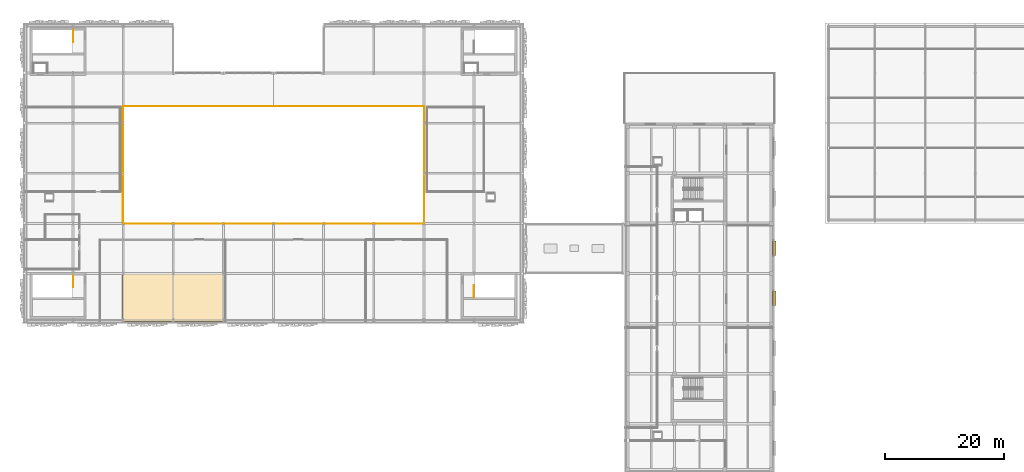
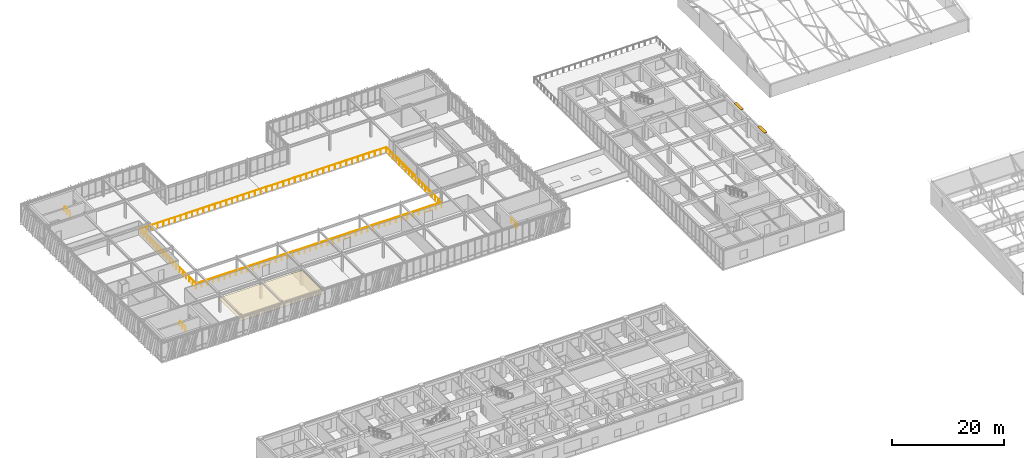
# One storey, part 121 of 123: 7 railings, 2 shading devices, 1 covering.
"""IFC4 building model written with IfcOpenShell, lengths in metres."""

from ifc_helpers import new_model, si_unit, direction, frame, origin, origin_2d, place, context, subcontext, project, spatial, polyline, rectangle, circle, outline, extrude, material, layer, layer_set, type_object, element, save


model = new_model("IFC4")

# Units and contexts
model_context = context("Model", 3, precision=1e-05, world=origin(), true_north=direction((0.0, 1.0)))
body_context = subcontext(model_context, "Body", "Model", "MODEL_VIEW")
ifc_project = project(units=[si_unit("LENGTHUNIT", "METRE"), si_unit("AREAUNIT", "SQUARE_METRE"), si_unit("VOLUMEUNIT", "CUBIC_METRE"), si_unit("PLANEANGLEUNIT", "RADIAN"), si_unit("MASSUNIT", "GRAM", prefix="KILO")], contexts=[model_context])

# Site, building, storey
site_placement = place(None, origin())
site = spatial("IfcSite", under=ifc_project, at=site_placement, CompositionType="ELEMENT")
building_placement = place(site_placement, origin())
building = spatial("IfcBuilding", under=site, at=building_placement, Name="Zayran Congress Hotel", CompositionType="ELEMENT")
storey_placement = place(building_placement, frame((0.0, 0.0, 15.0)))
storey = spatial("IfcBuildingStorey", under=building, at=storey_placement, Name="L03", CompositionType="ELEMENT", Elevation=15.0)

# Shading devices
ifc_material_1 = material(Name="Precast concrete C40/50", Category="concrete")
shading_device_type = type_object("IfcShadingDeviceType", Name="TP-SHD-01", PredefinedType="JALOUSIE", material=ifc_material_1)
for number, where, z_axis, x_axis, name in (
    (1, (134.300048828125, 71.875, 3.7802734375), (0.0, 0.0, 1.0), (0.0, 1.0, 0.0), "Precast Brise Soleil Louvre 20"),
    (2, (134.300048828125, 80.25390625, 3.7802734375), (0.0, 0.0, 1.0), (0.0, 1.0, 0.0), "Precast Brise Soleil Louvre 21"),
):
    element("IfcShadingDevice", number, at=place(storey_placement, frame(where, z_axis=z_axis, x_axis=x_axis)), inside=storey, type_object=shading_device_type, Name=name, PredefinedType="JALOUSIE", context=body_context, shape_type="SweptSolid", body=[
        extrude(rectangle(XDim=2.39990234375, YDim=0.64990234375, at=origin_2d()), origin(), (0.0, 0.0, 1.0), 0.139892578125),
    ])

# Railings
ifc_material_2 = material(Name="Painted steel balustrade", Category="steel")
railing_type = type_object("IfcRailingType", Name="TP-GRD-INT", PredefinedType="GUARDRAIL", material=ifc_material_2)
for number, where, name in (
    (3, (16.85009765625, 116.800048828125, 0.0), "L03 ST-03 top well guard 1"),
    (4, (16.85009765625, 75.800048828125, 0.0), "L03 ST-05 top well guard 1"),
):
    element("IfcRailing", number, at=place(storey_placement, frame(where)), inside=storey, type_object=railing_type, Name=name, PredefinedType="GUARDRAIL", context=body_context, shape_type="SweptSolid", body=[
        extrude(circle(Radius=0.02392578125, at=origin_2d()), frame((0.0, 0.0, 1.076171875), z_axis=(0.0, -1.0, 0.0), x_axis=(1.0, 0.0, 0.0)), (0.0, 0.0, 1.0), 2.0400390625),
        extrude(circle(Radius=0.02099609375, at=origin_2d()), origin(), (0.0, 0.0, 1.0), 1.052001953125),
        extrude(circle(Radius=0.02099609375, at=origin_2d()), frame((0.0, -1.02001953125, 0.0)), (0.0, 0.0, 1.0), 1.052001953125),
        extrude(circle(Radius=0.02099609375, at=origin_2d()), frame((0.0, -2.0400390625, 0.0)), (0.0, 0.0, 1.0), 1.052001953125),
    ])
railing_1_placement = place(storey_placement, frame((83.949951171875, 71.9599609375, 0.0)))
element("IfcRailing", 5, at=railing_1_placement, inside=storey, type_object=railing_type, Name="L03 ST-06 top well guard 1", PredefinedType="GUARDRAIL", context=body_context, shape_type="SweptSolid", body=[
    extrude(circle(Radius=0.02392578125, at=origin_2d()), frame((0.0, 0.0, 1.076171875), z_axis=(0.0, 1.0, 0.0), x_axis=(-1.0, 0.0, 0.0)), (0.0, 0.0, 1.0), 2.0400390625),
    extrude(circle(Radius=0.02099609375, at=origin_2d()), origin(), (0.0, 0.0, 1.0), 1.052001953125),
    extrude(circle(Radius=0.02099609375, at=origin_2d()), frame((0.0, 1.02001953125, 0.0)), (0.0, 0.0, 1.0), 1.052001953125),
    extrude(circle(Radius=0.02099609375, at=origin_2d()), frame((0.0, 2.0400390625, 0.0)), (0.0, 0.0, 1.0), 1.052001953125),
])
railing_2_placement = place(storey_placement, frame((25.14990234375, 84.35009765625, 0.0)))
element("IfcRailing", 6, at=railing_2_placement, inside=storey, type_object=railing_type, Name="V1 L03 Interior Void Guardrail V1-L03-AUD-S", PredefinedType="GUARDRAIL", context=body_context, shape_type="SweptSolid", body=[
    extrude(circle(Radius=0.02392578125, at=origin_2d()), frame((0.0, 0.0, 1.076171875), z_axis=(1.0, 0.0, 0.0), x_axis=(0.0, 1.0, 0.0)), (0.0, 0.0, 1.0), 50.5),
    extrude(circle(Radius=0.02099609375, at=origin_2d()), origin(), (0.0, 0.0, 1.0), 1.052001953125),
    extrude(circle(Radius=0.02099609375, at=origin_2d()), frame((1.17431640625, 0.0, 0.0)), (0.0, 0.0, 1.0), 1.052001953125),
    extrude(circle(Radius=0.02099609375, at=origin_2d()), frame((2.348876953125, 0.0, 0.0)), (0.0, 0.0, 1.0), 1.052001953125),
    extrude(circle(Radius=0.02099609375, at=origin_2d()), frame((3.523193359375, 0.0, 0.0)), (0.0, 0.0, 1.0), 1.052001953125),
    extrude(circle(Radius=0.02099609375, at=origin_2d()), frame((4.69775390625, 0.0, 0.0)), (0.0, 0.0, 1.0), 1.052001953125),
    extrude(circle(Radius=0.02099609375, at=origin_2d()), frame((5.8720703125, 0.0, 0.0)), (0.0, 0.0, 1.0), 1.052001953125),
    extrude(circle(Radius=0.02099609375, at=origin_2d()), frame((7.046630859375, 0.0, 0.0)), (0.0, 0.0, 1.0), 1.052001953125),
    extrude(circle(Radius=0.02099609375, at=origin_2d()), frame((8.220947265625, 0.0, 0.0)), (0.0, 0.0, 1.0), 1.052001953125),
    extrude(circle(Radius=0.02099609375, at=origin_2d()), frame((9.395263671875, 0.0, 0.0)), (0.0, 0.0, 1.0), 1.052001953125),
    extrude(circle(Radius=0.02099609375, at=origin_2d()), frame((10.56982421875, 0.0, 0.0)), (0.0, 0.0, 1.0), 1.052001953125),
    extrude(circle(Radius=0.02099609375, at=origin_2d()), frame((11.744140625, 0.0, 0.0)), (0.0, 0.0, 1.0), 1.052001953125),
    extrude(circle(Radius=0.02099609375, at=origin_2d()), frame((12.918701171875, 0.0, 0.0)), (0.0, 0.0, 1.0), 1.052001953125),
    extrude(circle(Radius=0.02099609375, at=origin_2d()), frame((14.093017578125, 0.0, 0.0)), (0.0, 0.0, 1.0), 1.052001953125),
    extrude(circle(Radius=0.02099609375, at=origin_2d()), frame((15.267333984375, 0.0, 0.0)), (0.0, 0.0, 1.0), 1.052001953125),
    extrude(circle(Radius=0.02099609375, at=origin_2d()), frame((16.44189453125, 0.0, 0.0)), (0.0, 0.0, 1.0), 1.052001953125),
    extrude(circle(Radius=0.02099609375, at=origin_2d()), frame((17.6162109375, 0.0, 0.0)), (0.0, 0.0, 1.0), 1.052001953125),
    extrude(circle(Radius=0.02099609375, at=origin_2d()), frame((18.790771484375, 0.0, 0.0)), (0.0, 0.0, 1.0), 1.052001953125),
    extrude(circle(Radius=0.02099609375, at=origin_2d()), frame((19.965087890625, 0.0, 0.0)), (0.0, 0.0, 1.0), 1.052001953125),
    extrude(circle(Radius=0.02099609375, at=origin_2d()), frame((21.1396484375, 0.0, 0.0)), (0.0, 0.0, 1.0), 1.052001953125),
    extrude(circle(Radius=0.02099609375, at=origin_2d()), frame((22.31396484375, 0.0, 0.0)), (0.0, 0.0, 1.0), 1.052001953125),
    extrude(circle(Radius=0.02099609375, at=origin_2d()), frame((23.48828125, 0.0, 0.0)), (0.0, 0.0, 1.0), 1.052001953125),
    extrude(circle(Radius=0.02099609375, at=origin_2d()), frame((24.662841796875, 0.0, 0.0)), (0.0, 0.0, 1.0), 1.052001953125),
    extrude(circle(Radius=0.02099609375, at=origin_2d()), frame((25.837158203125, 0.0, 0.0)), (0.0, 0.0, 1.0), 1.052001953125),
    extrude(circle(Radius=0.02099609375, at=origin_2d()), frame((27.01171875, 0.0, 0.0)), (0.0, 0.0, 1.0), 1.052001953125),
    extrude(circle(Radius=0.02099609375, at=origin_2d()), frame((28.18603515625, 0.0, 0.0)), (0.0, 0.0, 1.0), 1.052001953125),
    extrude(circle(Radius=0.02099609375, at=origin_2d()), frame((29.3603515625, 0.0, 0.0)), (0.0, 0.0, 1.0), 1.052001953125),
    extrude(circle(Radius=0.02099609375, at=origin_2d()), frame((30.534912109375, 0.0, 0.0)), (0.0, 0.0, 1.0), 1.052001953125),
    extrude(circle(Radius=0.02099609375, at=origin_2d()), frame((31.709228515625, 0.0, 0.0)), (0.0, 0.0, 1.0), 1.052001953125),
    extrude(circle(Radius=0.02099609375, at=origin_2d()), frame((32.8837890625, 0.0, 0.0)), (0.0, 0.0, 1.0), 1.052001953125),
    extrude(circle(Radius=0.02099609375, at=origin_2d()), frame((34.05810546875, 0.0, 0.0)), (0.0, 0.0, 1.0), 1.052001953125),
    extrude(circle(Radius=0.02099609375, at=origin_2d()), frame((35.232666015625, 0.0, 0.0)), (0.0, 0.0, 1.0), 1.052001953125),
    extrude(circle(Radius=0.02099609375, at=origin_2d()), frame((36.406982421875, 0.0, 0.0)), (0.0, 0.0, 1.0), 1.052001953125),
    extrude(circle(Radius=0.02099609375, at=origin_2d()), frame((37.581298828125, 0.0, 0.0)), (0.0, 0.0, 1.0), 1.052001953125),
    extrude(circle(Radius=0.02099609375, at=origin_2d()), frame((38.755859375, 0.0, 0.0)), (0.0, 0.0, 1.0), 1.052001953125),
    extrude(circle(Radius=0.02099609375, at=origin_2d()), frame((39.93017578125, 0.0, 0.0)), (0.0, 0.0, 1.0), 1.052001953125),
    extrude(circle(Radius=0.02099609375, at=origin_2d()), frame((41.104736328125, 0.0, 0.0)), (0.0, 0.0, 1.0), 1.052001953125),
    extrude(circle(Radius=0.02099609375, at=origin_2d()), frame((42.279052734375, 0.0, 0.0)), (0.0, 0.0, 1.0), 1.052001953125),
    extrude(circle(Radius=0.02099609375, at=origin_2d()), frame((43.453369140625, 0.0, 0.0)), (0.0, 0.0, 1.0), 1.052001953125),
    extrude(circle(Radius=0.02099609375, at=origin_2d()), frame((44.6279296875, 0.0, 0.0)), (0.0, 0.0, 1.0), 1.052001953125),
    extrude(circle(Radius=0.02099609375, at=origin_2d()), frame((45.80224609375, 0.0, 0.0)), (0.0, 0.0, 1.0), 1.052001953125),
    extrude(circle(Radius=0.02099609375, at=origin_2d()), frame((46.976806640625, 0.0, 0.0)), (0.0, 0.0, 1.0), 1.052001953125),
    extrude(circle(Radius=0.02099609375, at=origin_2d()), frame((48.151123046875, 0.0, 0.0)), (0.0, 0.0, 1.0), 1.052001953125),
    extrude(circle(Radius=0.02099609375, at=origin_2d()), frame((49.32568359375, 0.0, 0.0)), (0.0, 0.0, 1.0), 1.052001953125),
    extrude(circle(Radius=0.02099609375, at=origin_2d()), frame((50.5, 0.0, 0.0)), (0.0, 0.0, 1.0), 1.052001953125),
])
railing_3_placement = place(storey_placement, frame((75.64990234375, 84.35009765625, 0.0)))
element("IfcRailing", 7, at=railing_3_placement, inside=storey, type_object=railing_type, Name="V1 L03 Interior Void Guardrail V1-L03-AUD-E", PredefinedType="GUARDRAIL", context=body_context, shape_type="SweptSolid", body=[
    extrude(circle(Radius=0.02392578125, at=origin_2d()), frame((0.0, 0.0, 1.076171875), z_axis=(0.0, 1.0, 0.0), x_axis=(-1.0, 0.0, 0.0)), (0.0, 0.0, 1.0), 19.699951171875),
    extrude(circle(Radius=0.02099609375, at=origin_2d()), origin(), (0.0, 0.0, 1.0), 1.052001953125),
    extrude(circle(Radius=0.02099609375, at=origin_2d()), frame((0.0, 1.158935546875, 0.0)), (0.0, 0.0, 1.0), 1.052001953125),
    extrude(circle(Radius=0.02099609375, at=origin_2d()), frame((0.0, 2.317626953125, 0.0)), (0.0, 0.0, 1.0), 1.052001953125),
    extrude(circle(Radius=0.02099609375, at=origin_2d()), frame((0.0, 3.4765625, 0.0)), (0.0, 0.0, 1.0), 1.052001953125),
    extrude(circle(Radius=0.02099609375, at=origin_2d()), frame((0.0, 4.63525390625, 0.0)), (0.0, 0.0, 1.0), 1.052001953125),
    extrude(circle(Radius=0.02099609375, at=origin_2d()), frame((0.0, 5.794189453125, 0.0)), (0.0, 0.0, 1.0), 1.052001953125),
    extrude(circle(Radius=0.02099609375, at=origin_2d()), frame((0.0, 6.952880859375, 0.0)), (0.0, 0.0, 1.0), 1.052001953125),
    extrude(circle(Radius=0.02099609375, at=origin_2d()), frame((0.0, 8.11181640625, 0.0)), (0.0, 0.0, 1.0), 1.052001953125),
    extrude(circle(Radius=0.02099609375, at=origin_2d()), frame((0.0, 9.2705078125, 0.0)), (0.0, 0.0, 1.0), 1.052001953125),
    extrude(circle(Radius=0.02099609375, at=origin_2d()), frame((0.0, 10.429443359375, 0.0)), (0.0, 0.0, 1.0), 1.052001953125),
    extrude(circle(Radius=0.02099609375, at=origin_2d()), frame((0.0, 11.588134765625, 0.0)), (0.0, 0.0, 1.0), 1.052001953125),
    extrude(circle(Radius=0.02099609375, at=origin_2d()), frame((0.0, 12.7470703125, 0.0)), (0.0, 0.0, 1.0), 1.052001953125),
    extrude(circle(Radius=0.02099609375, at=origin_2d()), frame((0.0, 13.90576171875, 0.0)), (0.0, 0.0, 1.0), 1.052001953125),
    extrude(circle(Radius=0.02099609375, at=origin_2d()), frame((0.0, 15.064697265625, 0.0)), (0.0, 0.0, 1.0), 1.052001953125),
    extrude(circle(Radius=0.02099609375, at=origin_2d()), frame((0.0, 16.223388671875, 0.0)), (0.0, 0.0, 1.0), 1.052001953125),
    extrude(circle(Radius=0.02099609375, at=origin_2d()), frame((0.0, 17.38232421875, 0.0)), (0.0, 0.0, 1.0), 1.052001953125),
    extrude(circle(Radius=0.02099609375, at=origin_2d()), frame((0.0, 18.541015625, 0.0)), (0.0, 0.0, 1.0), 1.052001953125),
    extrude(circle(Radius=0.02099609375, at=origin_2d()), frame((0.0, 19.699951171875, 0.0)), (0.0, 0.0, 1.0), 1.052001953125),
])
railing_4_placement = place(storey_placement, frame((75.64990234375, 104.050048828125, 0.0)))
element("IfcRailing", 8, at=railing_4_placement, inside=storey, type_object=railing_type, Name="V1 L03 Interior Void Guardrail V1-L03-AUD-N", PredefinedType="GUARDRAIL", context=body_context, shape_type="SweptSolid", body=[
    extrude(circle(Radius=0.02392578125, at=origin_2d()), frame((0.0, 0.0, 1.076171875), z_axis=(-1.0, 0.0, 0.0), x_axis=(0.0, -1.0, 0.0)), (0.0, 0.0, 1.0), 50.5),
    extrude(circle(Radius=0.02099609375, at=origin_2d()), origin(), (0.0, 0.0, 1.0), 1.052001953125),
    extrude(circle(Radius=0.02099609375, at=origin_2d()), frame((-1.17431640625, 0.0, 0.0)), (0.0, 0.0, 1.0), 1.052001953125),
    extrude(circle(Radius=0.02099609375, at=origin_2d()), frame((-2.348876953125, 0.0, 0.0)), (0.0, 0.0, 1.0), 1.052001953125),
    extrude(circle(Radius=0.02099609375, at=origin_2d()), frame((-3.523193359375, 0.0, 0.0)), (0.0, 0.0, 1.0), 1.052001953125),
    extrude(circle(Radius=0.02099609375, at=origin_2d()), frame((-4.69775390625, 0.0, 0.0)), (0.0, 0.0, 1.0), 1.052001953125),
    extrude(circle(Radius=0.02099609375, at=origin_2d()), frame((-5.8720703125, 0.0, 0.0)), (0.0, 0.0, 1.0), 1.052001953125),
    extrude(circle(Radius=0.02099609375, at=origin_2d()), frame((-7.046630859375, 0.0, 0.0)), (0.0, 0.0, 1.0), 1.052001953125),
    extrude(circle(Radius=0.02099609375, at=origin_2d()), frame((-8.220947265625, 0.0, 0.0)), (0.0, 0.0, 1.0), 1.052001953125),
    extrude(circle(Radius=0.02099609375, at=origin_2d()), frame((-9.395263671875, 0.0, 0.0)), (0.0, 0.0, 1.0), 1.052001953125),
    extrude(circle(Radius=0.02099609375, at=origin_2d()), frame((-10.56982421875, 0.0, 0.0)), (0.0, 0.0, 1.0), 1.052001953125),
    extrude(circle(Radius=0.02099609375, at=origin_2d()), frame((-11.744140625, 0.0, 0.0)), (0.0, 0.0, 1.0), 1.052001953125),
    extrude(circle(Radius=0.02099609375, at=origin_2d()), frame((-12.918701171875, 0.0, 0.0)), (0.0, 0.0, 1.0), 1.052001953125),
    extrude(circle(Radius=0.02099609375, at=origin_2d()), frame((-14.093017578125, 0.0, 0.0)), (0.0, 0.0, 1.0), 1.052001953125),
    extrude(circle(Radius=0.02099609375, at=origin_2d()), frame((-15.267333984375, 0.0, 0.0)), (0.0, 0.0, 1.0), 1.052001953125),
    extrude(circle(Radius=0.02099609375, at=origin_2d()), frame((-16.44189453125, 0.0, 0.0)), (0.0, 0.0, 1.0), 1.052001953125),
    extrude(circle(Radius=0.02099609375, at=origin_2d()), frame((-17.6162109375, 0.0, 0.0)), (0.0, 0.0, 1.0), 1.052001953125),
    extrude(circle(Radius=0.02099609375, at=origin_2d()), frame((-18.790771484375, 0.0, 0.0)), (0.0, 0.0, 1.0), 1.052001953125),
    extrude(circle(Radius=0.02099609375, at=origin_2d()), frame((-19.965087890625, 0.0, 0.0)), (0.0, 0.0, 1.0), 1.052001953125),
    extrude(circle(Radius=0.02099609375, at=origin_2d()), frame((-21.1396484375, 0.0, 0.0)), (0.0, 0.0, 1.0), 1.052001953125),
    extrude(circle(Radius=0.02099609375, at=origin_2d()), frame((-22.31396484375, 0.0, 0.0)), (0.0, 0.0, 1.0), 1.052001953125),
    extrude(circle(Radius=0.02099609375, at=origin_2d()), frame((-23.48828125, 0.0, 0.0)), (0.0, 0.0, 1.0), 1.052001953125),
    extrude(circle(Radius=0.02099609375, at=origin_2d()), frame((-24.662841796875, 0.0, 0.0)), (0.0, 0.0, 1.0), 1.052001953125),
    extrude(circle(Radius=0.02099609375, at=origin_2d()), frame((-25.837158203125, 0.0, 0.0)), (0.0, 0.0, 1.0), 1.052001953125),
    extrude(circle(Radius=0.02099609375, at=origin_2d()), frame((-27.01171875, 0.0, 0.0)), (0.0, 0.0, 1.0), 1.052001953125),
    extrude(circle(Radius=0.02099609375, at=origin_2d()), frame((-28.18603515625, 0.0, 0.0)), (0.0, 0.0, 1.0), 1.052001953125),
    extrude(circle(Radius=0.02099609375, at=origin_2d()), frame((-29.3603515625, 0.0, 0.0)), (0.0, 0.0, 1.0), 1.052001953125),
    extrude(circle(Radius=0.02099609375, at=origin_2d()), frame((-30.534912109375, 0.0, 0.0)), (0.0, 0.0, 1.0), 1.052001953125),
    extrude(circle(Radius=0.02099609375, at=origin_2d()), frame((-31.709228515625, 0.0, 0.0)), (0.0, 0.0, 1.0), 1.052001953125),
    extrude(circle(Radius=0.02099609375, at=origin_2d()), frame((-32.8837890625, 0.0, 0.0)), (0.0, 0.0, 1.0), 1.052001953125),
    extrude(circle(Radius=0.02099609375, at=origin_2d()), frame((-34.05810546875, 0.0, 0.0)), (0.0, 0.0, 1.0), 1.052001953125),
    extrude(circle(Radius=0.02099609375, at=origin_2d()), frame((-35.232666015625, 0.0, 0.0)), (0.0, 0.0, 1.0), 1.052001953125),
    extrude(circle(Radius=0.02099609375, at=origin_2d()), frame((-36.406982421875, 0.0, 0.0)), (0.0, 0.0, 1.0), 1.052001953125),
    extrude(circle(Radius=0.02099609375, at=origin_2d()), frame((-37.581298828125, 0.0, 0.0)), (0.0, 0.0, 1.0), 1.052001953125),
    extrude(circle(Radius=0.02099609375, at=origin_2d()), frame((-38.755859375, 0.0, 0.0)), (0.0, 0.0, 1.0), 1.052001953125),
    extrude(circle(Radius=0.02099609375, at=origin_2d()), frame((-39.93017578125, 0.0, 0.0)), (0.0, 0.0, 1.0), 1.052001953125),
    extrude(circle(Radius=0.02099609375, at=origin_2d()), frame((-41.104736328125, 0.0, 0.0)), (0.0, 0.0, 1.0), 1.052001953125),
    extrude(circle(Radius=0.02099609375, at=origin_2d()), frame((-42.279052734375, 0.0, 0.0)), (0.0, 0.0, 1.0), 1.052001953125),
    extrude(circle(Radius=0.02099609375, at=origin_2d()), frame((-43.453369140625, 0.0, 0.0)), (0.0, 0.0, 1.0), 1.052001953125),
    extrude(circle(Radius=0.02099609375, at=origin_2d()), frame((-44.6279296875, 0.0, 0.0)), (0.0, 0.0, 1.0), 1.052001953125),
    extrude(circle(Radius=0.02099609375, at=origin_2d()), frame((-45.80224609375, 0.0, 0.0)), (0.0, 0.0, 1.0), 1.052001953125),
    extrude(circle(Radius=0.02099609375, at=origin_2d()), frame((-46.976806640625, 0.0, 0.0)), (0.0, 0.0, 1.0), 1.052001953125),
    extrude(circle(Radius=0.02099609375, at=origin_2d()), frame((-48.151123046875, 0.0, 0.0)), (0.0, 0.0, 1.0), 1.052001953125),
    extrude(circle(Radius=0.02099609375, at=origin_2d()), frame((-49.32568359375, 0.0, 0.0)), (0.0, 0.0, 1.0), 1.052001953125),
    extrude(circle(Radius=0.02099609375, at=origin_2d()), frame((-50.5, 0.0, 0.0)), (0.0, 0.0, 1.0), 1.052001953125),
])
railing_5_placement = place(storey_placement, frame((25.14990234375, 104.050048828125, 0.0)))
element("IfcRailing", 9, at=railing_5_placement, inside=storey, type_object=railing_type, Name="V1 L03 Interior Void Guardrail V1-L03-AUD-W", PredefinedType="GUARDRAIL", context=body_context, shape_type="SweptSolid", body=[
    extrude(circle(Radius=0.02392578125, at=origin_2d()), frame((0.0, 0.0, 1.076171875), z_axis=(0.0, -1.0, 0.0), x_axis=(1.0, 0.0, 0.0)), (0.0, 0.0, 1.0), 19.699951171875),
    extrude(circle(Radius=0.02099609375, at=origin_2d()), origin(), (0.0, 0.0, 1.0), 1.052001953125),
    extrude(circle(Radius=0.02099609375, at=origin_2d()), frame((0.0, -1.158935546875, 0.0)), (0.0, 0.0, 1.0), 1.052001953125),
    extrude(circle(Radius=0.02099609375, at=origin_2d()), frame((0.0, -2.317626953125, 0.0)), (0.0, 0.0, 1.0), 1.052001953125),
    extrude(circle(Radius=0.02099609375, at=origin_2d()), frame((0.0, -3.4765625, 0.0)), (0.0, 0.0, 1.0), 1.052001953125),
    extrude(circle(Radius=0.02099609375, at=origin_2d()), frame((0.0, -4.63525390625, 0.0)), (0.0, 0.0, 1.0), 1.052001953125),
    extrude(circle(Radius=0.02099609375, at=origin_2d()), frame((0.0, -5.794189453125, 0.0)), (0.0, 0.0, 1.0), 1.052001953125),
    extrude(circle(Radius=0.02099609375, at=origin_2d()), frame((0.0, -6.952880859375, 0.0)), (0.0, 0.0, 1.0), 1.052001953125),
    extrude(circle(Radius=0.02099609375, at=origin_2d()), frame((0.0, -8.11181640625, 0.0)), (0.0, 0.0, 1.0), 1.052001953125),
    extrude(circle(Radius=0.02099609375, at=origin_2d()), frame((0.0, -9.2705078125, 0.0)), (0.0, 0.0, 1.0), 1.052001953125),
    extrude(circle(Radius=0.02099609375, at=origin_2d()), frame((0.0, -10.429443359375, 0.0)), (0.0, 0.0, 1.0), 1.052001953125),
    extrude(circle(Radius=0.02099609375, at=origin_2d()), frame((0.0, -11.588134765625, 0.0)), (0.0, 0.0, 1.0), 1.052001953125),
    extrude(circle(Radius=0.02099609375, at=origin_2d()), frame((0.0, -12.7470703125, 0.0)), (0.0, 0.0, 1.0), 1.052001953125),
    extrude(circle(Radius=0.02099609375, at=origin_2d()), frame((0.0, -13.90576171875, 0.0)), (0.0, 0.0, 1.0), 1.052001953125),
    extrude(circle(Radius=0.02099609375, at=origin_2d()), frame((0.0, -15.064697265625, 0.0)), (0.0, 0.0, 1.0), 1.052001953125),
    extrude(circle(Radius=0.02099609375, at=origin_2d()), frame((0.0, -16.223388671875, 0.0)), (0.0, 0.0, 1.0), 1.052001953125),
    extrude(circle(Radius=0.02099609375, at=origin_2d()), frame((0.0, -17.38232421875, 0.0)), (0.0, 0.0, 1.0), 1.052001953125),
    extrude(circle(Radius=0.02099609375, at=origin_2d()), frame((0.0, -18.541015625, 0.0)), (0.0, 0.0, 1.0), 1.052001953125),
    extrude(circle(Radius=0.02099609375, at=origin_2d()), frame((0.0, -19.699951171875, 0.0)), (0.0, 0.0, 1.0), 1.052001953125),
])

# Covering
ifc_material_3 = material(Name="Perforated acoustic gypsum ceiling board", Category="gypsum")
ifc_layer = layer(ifc_material_3, 0.044921875)
ifc_layer_set = layer_set([ifc_layer], Name="Perforated acoustic gypsum ceiling board")
covering_type = type_object("IfcCoveringType", Name="TP-CLG-AC1", PredefinedType="CEILING", material=ifc_layer_set)
covering_placement = place(storey_placement, frame((0.0, 0.0, 2.89990234375)))
element("IfcCovering", 10, at=covering_placement, inside=storey, type_object=covering_type, Name="Acoustic Suspended Ceiling L03-07", PredefinedType="CEILING", context=body_context, shape_type="SweptSolid", body=[
    extrude(outline(polyline([(25.0, 68.0), (42.199951171875, 68.0), (42.199951171875, 76.199951171875), (25.0, 76.199951171875), (25.0, 68.0)])), origin(), (0.0, 0.0, 1.0), 0.045166015625),
])

save(model, "model.ifc")
